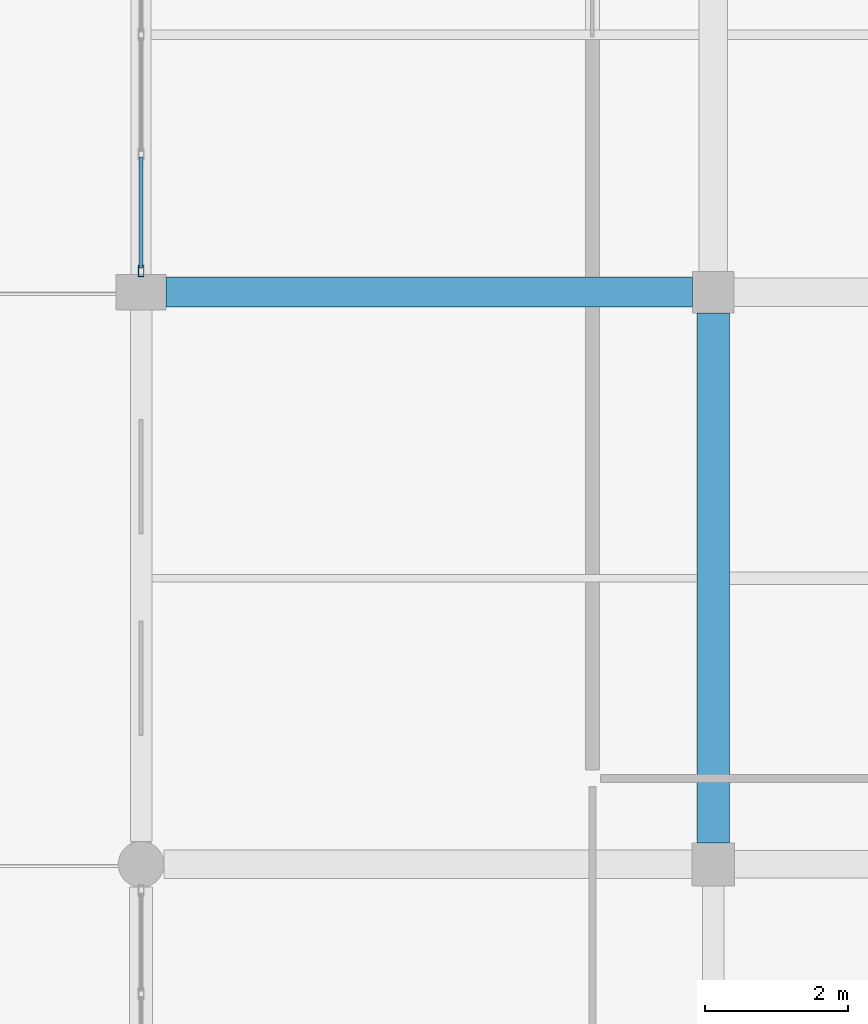
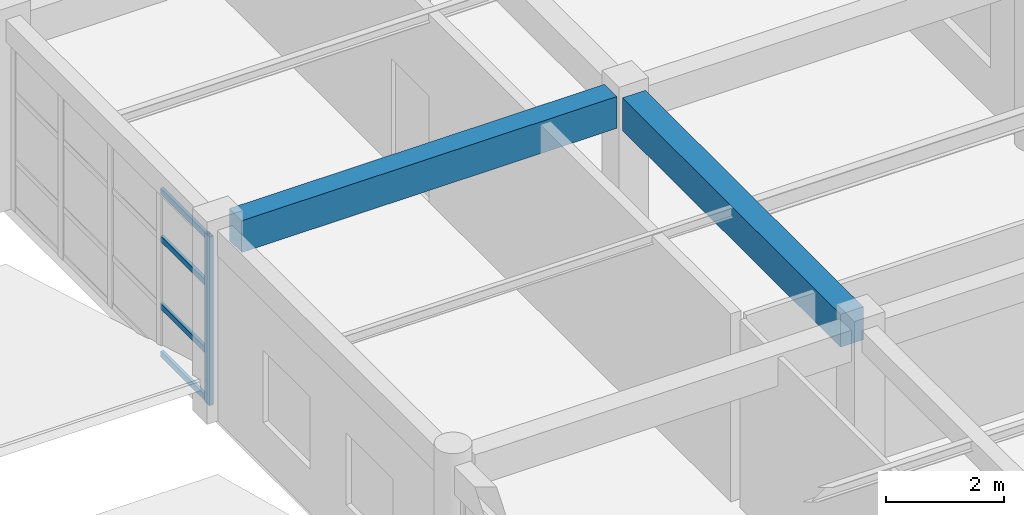
# One storey, part 48 of 121: 5 members, 2 beams, 1 element without a shape of its own.
"""IFC4 building model written with IfcOpenShell, lengths in metres."""

from ifc_helpers import new_model, si_unit, direction, frame, origin, origin_2d, place, context, subcontext, project, spatial, rectangle, hollow_rectangle, extrude, material, material_profile, profile_set, type_object, element, aggregate, save


model = new_model("IFC4")

# Units and contexts
model_context = context("Model", 3, precision=1e-05, world=origin(), true_north=direction((0.0, 1.0)))
body_context = subcontext(model_context, "Body", "Model", "MODEL_VIEW")
ifc_project = project(units=[si_unit("LENGTHUNIT", "METRE"), si_unit("AREAUNIT", "SQUARE_METRE"), si_unit("VOLUMEUNIT", "CUBIC_METRE"), si_unit("PLANEANGLEUNIT", "RADIAN"), si_unit("MASSUNIT", "GRAM", prefix="KILO")], contexts=[model_context])

# Site, building, storey
site_placement = place(None, origin())
site = spatial("IfcSite", under=ifc_project, at=site_placement, CompositionType="ELEMENT")
building_placement = place(site_placement, origin())
building = spatial("IfcBuilding", under=site, at=building_placement, Name="Kharva Crest Polytechnic", CompositionType="ELEMENT")
storey_placement = place(building_placement, frame((0.0, 0.0, 13.199951171875)))
storey = spatial("IfcBuildingStorey", under=building, at=storey_placement, Name="L03", CompositionType="ELEMENT", Elevation=13.199951171875)

# Beams
ifc_material_1 = material(Name="Concrete C35/45", Category="concrete")
ifc_material_profile_1 = material_profile(ifc_material_1, rectangle(XDim=0.419921875, YDim=0.659912109375, at=origin_2d()), Name="RECT 420 X 660")
ifc_profile_set_1 = profile_set([ifc_material_profile_1], Name="Concrete C35/45")
beam_type_1 = type_object("IfcBeamType", Name="BM-RC-420X660", PredefinedType="BEAM", material=ifc_profile_set_1)
beam_1_placement = place(storey_placement, frame((32.35009765625, 78.800048828125, 3.630126953125), z_axis=(1.0, 0.0, 0.0), x_axis=(0.0, 1.0, 0.0)))
element("IfcBeam", 1, at=beam_1_placement, inside=storey, type_object=beam_type_1, Name="L03 Beam L/5-6", PredefinedType="BEAM", context=body_context, shape_type="SweptSolid", body=[
    extrude(rectangle(XDim=0.419921875, YDim=0.659912109375, at=origin_2d()), origin(), (0.0, 0.0, 1.0), 7.35986328125),
])
ifc_material_profile_2 = material_profile(ifc_material_1, rectangle(XDim=0.449951171875, YDim=0.679931640625, at=origin_2d()), Name="RECT 450 X 680")
ifc_profile_set_2 = profile_set([ifc_material_profile_2], Name="Concrete C35/45")
beam_type_2 = type_object("IfcBeamType", Name="BM-RC-450X680", PredefinedType="BEAM", material=ifc_profile_set_2)
beam_2_placement = place(storey_placement, frame((40.0, 71.10009765625, 3.6201171875), z_axis=(0.0, 1.0, 0.0), x_axis=(-1.0, 0.0, 0.0)))
element("IfcBeam", 2, at=beam_2_placement, inside=storey, type_object=beam_type_2, Name="L03 Girder 6/K-L", PredefinedType="BEAM", context=body_context, shape_type="SweptSolid", body=[
    extrude(rectangle(XDim=0.449951171875, YDim=0.679931640625, at=origin_2d()), origin(), (0.0, 0.0, 1.0), 7.409912109375),
])

# Curtain wall, members
ifc_material_2 = material(Name="Tempered insulated glass", Category="glass")
curtain_wall_type = type_object("IfcCurtainWallType", Name="CW-SYS-COURT", PredefinedType="USERDEFINED", material=ifc_material_2)
curtain_wall_placement = place(storey_placement, origin())
curtain_wall = element("IfcCurtainWall", 3, at=curtain_wall_placement, inside=storey, type_object=curtain_wall_type, Name="L03 Glazed Curtain Wall CW-166", ObjectType="CURTAIN WALL", PredefinedType="USERDEFINED")
ifc_material_3 = material(Name="Steel S355", Category="steel")
ifc_material_profile_3 = material_profile(ifc_material_3, hollow_rectangle(XDim=0.080078125, YDim=0.159912109375, WallThickness=0.0048828125, at=origin_2d()), Name="RHS 160X80X5.0")
ifc_profile_set_3 = profile_set([ifc_material_profile_3], Name="Steel S355")
member_type_1 = type_object("IfcMemberType", Name="CWM-RHS160X80", PredefinedType="MULLION", material=ifc_profile_set_3)
member_1_placement = place(storey_placement, frame((32.0, 79.094970703125, 0.0), z_axis=(0.0, 0.0, 1.0), x_axis=(1.0, 0.0, 0.0)))
member_1 = element("IfcMember", 4, at=member_1_placement, type_object=member_type_1, Name="CW-166 mullion 5", PredefinedType="MULLION", context=body_context, shape_type="SweptSolid", body=[
    extrude(hollow_rectangle(XDim=0.080078125, YDim=0.159912109375, WallThickness=0.0048828125, at=origin_2d()), origin(), (0.0, 0.0, 1.0), 3.5),
])
ifc_material_profile_4 = material_profile(ifc_material_3, hollow_rectangle(XDim=0.06005859375, YDim=0.1201171875, WallThickness=0.00390625, at=origin_2d()), Name="RHS 120X60X4.0")
ifc_profile_set_4 = profile_set([ifc_material_profile_4], Name="Steel S355")
member_type_2 = type_object("IfcMemberType", Name="CWT-RHS120X60", PredefinedType="USERDEFINED", material=ifc_profile_set_4)
member_2_placement = place(storey_placement, frame((32.0, 80.6875, 0.06005859375), z_axis=(0.0, -1.0, 0.0), x_axis=(1.0, 0.0, 0.0)))
member_2 = element("IfcMember", 5, at=member_2_placement, type_object=member_type_2, Name="CW-166 transom 4.1", ObjectType="TRANSOM", PredefinedType="USERDEFINED", context=body_context, shape_type="SweptSolid", body=[
    extrude(hollow_rectangle(XDim=0.06005859375, YDim=0.1201171875, WallThickness=0.00390625, at=origin_2d()), origin(), (0.0, 0.0, 1.0), 1.552490234375),
])
member_3_placement = place(storey_placement, frame((32.0, 80.6875, 1.050048828125), z_axis=(0.0, -1.0, 0.0), x_axis=(1.0, 0.0, 0.0)))
member_3 = element("IfcMember", 6, at=member_3_placement, type_object=member_type_2, Name="CW-166 transom 4.2", ObjectType="TRANSOM", PredefinedType="USERDEFINED", context=body_context, shape_type="SweptSolid", body=[
    extrude(hollow_rectangle(XDim=0.06005859375, YDim=0.1201171875, WallThickness=0.00390625, at=origin_2d()), origin(), (0.0, 0.0, 1.0), 1.552490234375),
])
member_4_placement = place(storey_placement, frame((32.0, 80.6875, 2.449951171875), z_axis=(0.0, -1.0, 0.0), x_axis=(1.0, 0.0, 0.0)))
member_4 = element("IfcMember", 7, at=member_4_placement, type_object=member_type_2, Name="CW-166 transom 4.3", ObjectType="TRANSOM", PredefinedType="USERDEFINED", context=body_context, shape_type="SweptSolid", body=[
    extrude(hollow_rectangle(XDim=0.06005859375, YDim=0.1201171875, WallThickness=0.00390625, at=origin_2d()), origin(), (0.0, 0.0, 1.0), 1.552490234375),
])
member_5_placement = place(storey_placement, frame((32.0, 80.6875, 3.43994140625), z_axis=(0.0, -1.0, 0.0), x_axis=(1.0, 0.0, 0.0)))
member_5 = element("IfcMember", 8, at=member_5_placement, type_object=member_type_2, Name="CW-166 transom 4.4", ObjectType="TRANSOM", PredefinedType="USERDEFINED", context=body_context, shape_type="SweptSolid", body=[
    extrude(hollow_rectangle(XDim=0.06005859375, YDim=0.1201171875, WallThickness=0.00390625, at=origin_2d()), origin(), (0.0, 0.0, 1.0), 1.552490234375),
])
aggregate(curtain_wall, [member_1, member_2, member_3, member_4, member_5])

save(model, "model.ifc")
